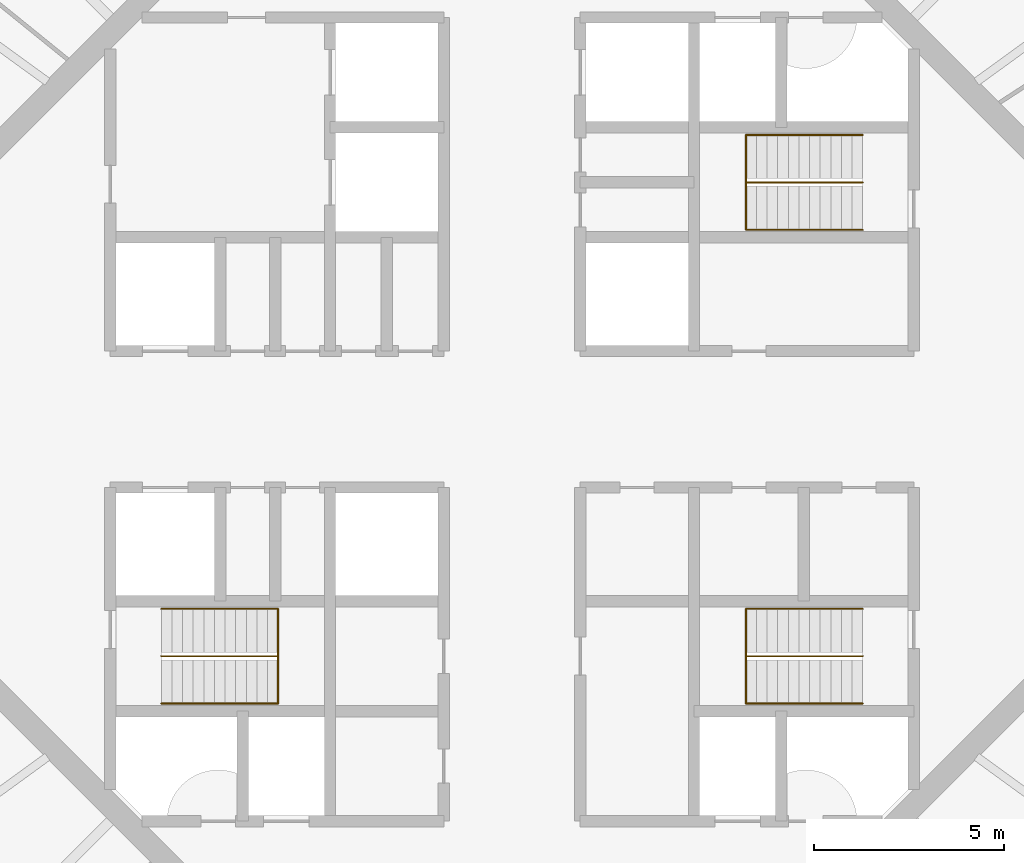
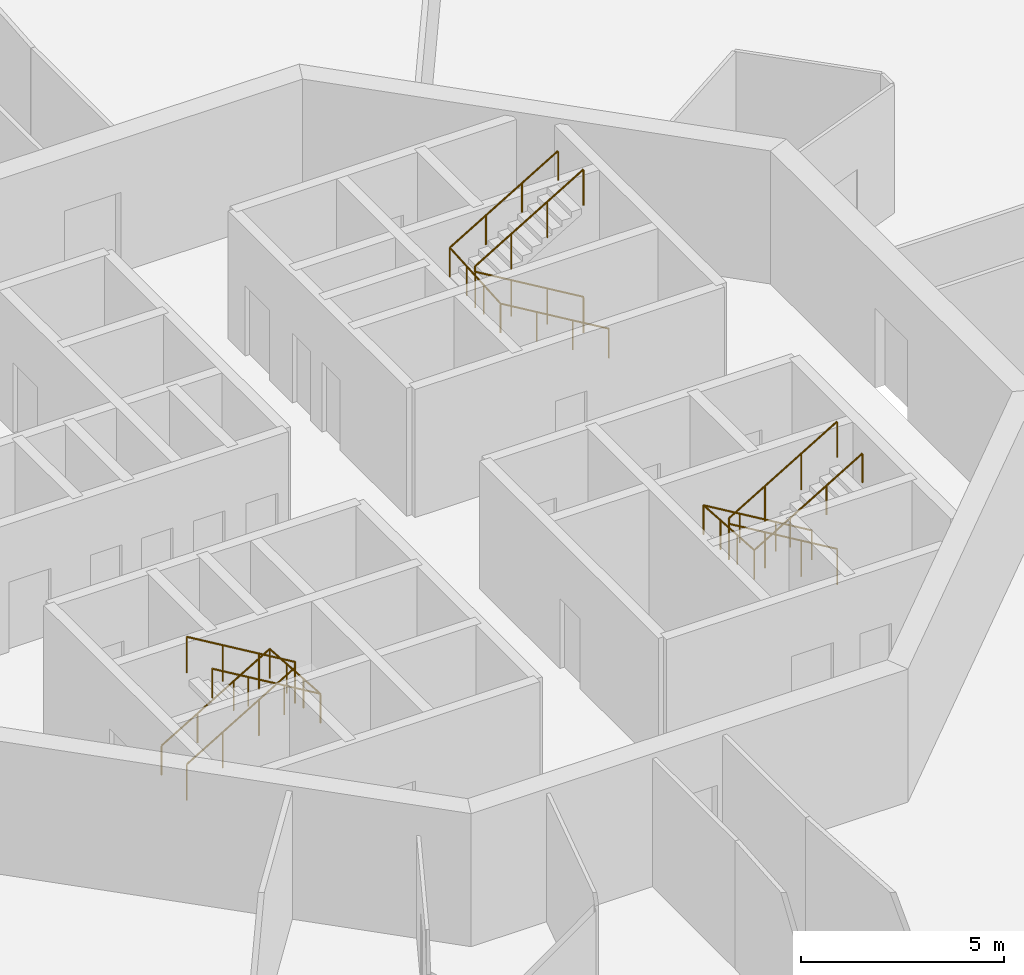
# One storey, part 13 of 13: 6 railings.
"""IFC4 building model written with IfcOpenShell, lengths in metres."""

from ifc_helpers import new_model, si_unit, direction, frame, origin, origin_2d, place, context, subcontext, project, spatial, circle, extrude, material, type_object, element, save


model = new_model("IFC4")

# Units and contexts
model_context = context("Model", 3, precision=1e-05, world=origin(), true_north=direction((0.0, 1.0)))
body_context = subcontext(model_context, "Body", "Model", "MODEL_VIEW")
ifc_project = project(units=[si_unit("LENGTHUNIT", "METRE"), si_unit("AREAUNIT", "SQUARE_METRE"), si_unit("VOLUMEUNIT", "CUBIC_METRE"), si_unit("PLANEANGLEUNIT", "RADIAN"), si_unit("MASSUNIT", "GRAM", prefix="KILO")], contexts=[model_context])

# Site, building, storey
site_placement = place(None, origin())
site = spatial("IfcSite", under=ifc_project, at=site_placement, CompositionType="ELEMENT")
building_placement = place(site_placement, origin())
building = spatial("IfcBuilding", under=site, at=building_placement, Name="Entoto Ring Tower", CompositionType="ELEMENT")
storey_placement = place(building_placement, frame((0.0, 0.0, 376.0)))
storey = spatial("IfcBuildingStorey", under=building, at=storey_placement, Name="L87", CompositionType="ELEMENT", Elevation=376.0)

# Railings
ifc_material_1 = material(Name="Steel S275", Category="steel")
railing_type_1 = type_object("IfcRailingType", Name="Stair guard 1100 mm steel", PredefinedType="GUARDRAIL", material=ifc_material_1)
railing_1_placement = place(storey_placement, frame((99.25, 86.25, 0.166748046875)))
element("IfcRailing", 1, at=railing_1_placement, inside=storey, type_object=railing_type_1, Name="Guard ST1", PredefinedType="GUARDRAIL", context=body_context, shape_type="SweptSolid", body=[
    extrude(circle(Radius=0.02392578125, at=origin_2d()), frame((0.0, 0.0, 1.076171875), z_axis=(-0.859308565015, 0.0, 0.511457515432), x_axis=(0.0, -1.0, 0.0)), (0.0, 0.0, 1.0), 3.58447265625),
    extrude(circle(Radius=0.02392578125, at=origin_2d()), frame((-3.080078125, 0.0, 2.9091796875), z_axis=(0.0, 0.0, 1.0), x_axis=(1.0, 0.0, 0.0)), (0.0, 0.0, 1.0), 0.166748046875),
    extrude(circle(Radius=0.02392578125, at=origin_2d()), frame((-3.080078125, 0.0, 3.076171875), z_axis=(0.859308565015, 0.0, 0.511457515432), x_axis=(0.0, 1.0, 0.0)), (0.0, 0.0, 1.0), 3.58447265625),
    extrude(circle(Radius=0.02099609375, at=origin_2d()), origin(), (0.0, 0.0, 1.0), 1.052001953125),
    extrude(circle(Radius=0.02099609375, at=origin_2d()), frame((-1.026611328125, 0.0, 0.611083984375)), (0.0, 0.0, 1.0), 1.052001953125),
    extrude(circle(Radius=0.02099609375, at=origin_2d()), frame((-2.053466796875, 0.0, 1.22216796875)), (0.0, 0.0, 1.0), 1.052001953125),
    extrude(circle(Radius=0.02099609375, at=origin_2d()), frame((-3.080078125, 0.0, 1.833251953125)), (0.0, 0.0, 1.0), 1.052001953125),
    extrude(circle(Radius=0.02099609375, at=origin_2d()), frame((-3.080078125, 0.0, 2.0)), (0.0, 0.0, 1.0), 1.052001953125),
    extrude(circle(Radius=0.02099609375, at=origin_2d()), frame((-2.053466796875, 0.0, 2.611083984375)), (0.0, 0.0, 1.0), 1.052001953125),
    extrude(circle(Radius=0.02099609375, at=origin_2d()), frame((-1.026611328125, 0.0, 3.22216796875)), (0.0, 0.0, 1.0), 1.052001953125),
    extrude(circle(Radius=0.02099609375, at=origin_2d()), frame((0.0, 0.0, 3.833251953125)), (0.0, 0.0, 1.0), 1.052001953125),
])
railing_2_placement = place(storey_placement, frame((80.75, 73.75, 0.166748046875)))
element("IfcRailing", 2, at=railing_2_placement, inside=storey, type_object=railing_type_1, Name="Guard ST2", PredefinedType="GUARDRAIL", context=body_context, shape_type="SweptSolid", body=[
    extrude(circle(Radius=0.02392578125, at=origin_2d()), frame((0.0, 0.0, 1.076171875), z_axis=(0.859308565015, 0.0, 0.511457515432), x_axis=(0.0, 1.0, 0.0)), (0.0, 0.0, 1.0), 3.58447265625),
    extrude(circle(Radius=0.02392578125, at=origin_2d()), frame((3.080078125, 0.0, 2.9091796875), z_axis=(0.0, 0.0, 1.0), x_axis=(1.0, 0.0, 0.0)), (0.0, 0.0, 1.0), 0.166748046875),
    extrude(circle(Radius=0.02392578125, at=origin_2d()), frame((3.080078125, 0.0, 3.076171875), z_axis=(-0.859308565015, 0.0, 0.511457515432), x_axis=(0.0, -1.0, 0.0)), (0.0, 0.0, 1.0), 3.58447265625),
    extrude(circle(Radius=0.02099609375, at=origin_2d()), origin(), (0.0, 0.0, 1.0), 1.052001953125),
    extrude(circle(Radius=0.02099609375, at=origin_2d()), frame((1.026611328125, 0.0, 0.611083984375)), (0.0, 0.0, 1.0), 1.052001953125),
    extrude(circle(Radius=0.02099609375, at=origin_2d()), frame((2.053466796875, 0.0, 1.22216796875)), (0.0, 0.0, 1.0), 1.052001953125),
    extrude(circle(Radius=0.02099609375, at=origin_2d()), frame((3.080078125, 0.0, 1.833251953125)), (0.0, 0.0, 1.0), 1.052001953125),
    extrude(circle(Radius=0.02099609375, at=origin_2d()), frame((3.080078125, 0.0, 2.0)), (0.0, 0.0, 1.0), 1.052001953125),
    extrude(circle(Radius=0.02099609375, at=origin_2d()), frame((2.053466796875, 0.0, 2.611083984375)), (0.0, 0.0, 1.0), 1.052001953125),
    extrude(circle(Radius=0.02099609375, at=origin_2d()), frame((1.026611328125, 0.0, 3.22216796875)), (0.0, 0.0, 1.0), 1.052001953125),
    extrude(circle(Radius=0.02099609375, at=origin_2d()), frame((0.0, 0.0, 3.833251953125)), (0.0, 0.0, 1.0), 1.052001953125),
])
railing_3_placement = place(storey_placement, frame((99.25, 73.75, 0.166748046875)))
element("IfcRailing", 3, at=railing_3_placement, inside=storey, type_object=railing_type_1, Name="Guard ST3", PredefinedType="GUARDRAIL", context=body_context, shape_type="SweptSolid", body=[
    extrude(circle(Radius=0.02392578125, at=origin_2d()), frame((0.0, 0.0, 1.076171875), z_axis=(-0.859308565015, 0.0, 0.511457515432), x_axis=(0.0, -1.0, 0.0)), (0.0, 0.0, 1.0), 3.58447265625),
    extrude(circle(Radius=0.02392578125, at=origin_2d()), frame((-3.080078125, 0.0, 2.9091796875), z_axis=(0.0, 0.0, 1.0), x_axis=(1.0, 0.0, 0.0)), (0.0, 0.0, 1.0), 0.166748046875),
    extrude(circle(Radius=0.02392578125, at=origin_2d()), frame((-3.080078125, 0.0, 3.076171875), z_axis=(0.859308565015, 0.0, 0.511457515432), x_axis=(0.0, 1.0, 0.0)), (0.0, 0.0, 1.0), 3.58447265625),
    extrude(circle(Radius=0.02099609375, at=origin_2d()), origin(), (0.0, 0.0, 1.0), 1.052001953125),
    extrude(circle(Radius=0.02099609375, at=origin_2d()), frame((-1.026611328125, 0.0, 0.611083984375)), (0.0, 0.0, 1.0), 1.052001953125),
    extrude(circle(Radius=0.02099609375, at=origin_2d()), frame((-2.053466796875, 0.0, 1.22216796875)), (0.0, 0.0, 1.0), 1.052001953125),
    extrude(circle(Radius=0.02099609375, at=origin_2d()), frame((-3.080078125, 0.0, 1.833251953125)), (0.0, 0.0, 1.0), 1.052001953125),
    extrude(circle(Radius=0.02099609375, at=origin_2d()), frame((-3.080078125, 0.0, 2.0)), (0.0, 0.0, 1.0), 1.052001953125),
    extrude(circle(Radius=0.02099609375, at=origin_2d()), frame((-2.053466796875, 0.0, 2.611083984375)), (0.0, 0.0, 1.0), 1.052001953125),
    extrude(circle(Radius=0.02099609375, at=origin_2d()), frame((-1.026611328125, 0.0, 3.22216796875)), (0.0, 0.0, 1.0), 1.052001953125),
    extrude(circle(Radius=0.02099609375, at=origin_2d()), frame((0.0, 0.0, 3.833251953125)), (0.0, 0.0, 1.0), 1.052001953125),
])
ifc_material_2 = material(Name="Steel S275", Category="steel")
railing_type_2 = type_object("IfcRailingType", Name="Stair handrail 900 mm steel", PredefinedType="HANDRAIL", material=ifc_material_2)
railing_4_placement = place(storey_placement, frame((99.25, 85.0, 0.166748046875)))
element("IfcRailing", 4, at=railing_4_placement, inside=storey, type_object=railing_type_2, Name="Handrail ST1", PredefinedType="HANDRAIL", context=body_context, shape_type="SweptSolid", body=[
    extrude(circle(Radius=0.02392578125, at=origin_2d()), frame((0.0, 0.0, 0.8759765625), z_axis=(-0.859308565015, 0.0, 0.511457515432), x_axis=(0.0, -1.0, 0.0)), (0.0, 0.0, 1.0), 3.58447265625),
    extrude(circle(Radius=0.02392578125, at=origin_2d()), frame((-3.080078125, 0.0, 2.708984375), z_axis=(0.0, 0.997783001586, 0.066551346688), x_axis=(-1.0, 0.0, 0.0)), (0.0, 0.0, 1.0), 2.505615234375),
    extrude(circle(Radius=0.02392578125, at=origin_2d()), frame((-3.080078125, 2.5, 2.8759765625), z_axis=(0.859308565015, 0.0, 0.511457515432), x_axis=(0.0, 1.0, 0.0)), (0.0, 0.0, 1.0), 3.58447265625),
    extrude(circle(Radius=0.02099609375, at=origin_2d()), origin(), (0.0, 0.0, 1.0), 0.851806640625),
    extrude(circle(Radius=0.02099609375, at=origin_2d()), frame((-1.026611328125, 0.0, 0.611083984375)), (0.0, 0.0, 1.0), 0.851806640625),
    extrude(circle(Radius=0.02099609375, at=origin_2d()), frame((-2.053466796875, 0.0, 1.22216796875)), (0.0, 0.0, 1.0), 0.851806640625),
    extrude(circle(Radius=0.02099609375, at=origin_2d()), frame((-3.080078125, 0.0, 1.833251953125)), (0.0, 0.0, 1.0), 0.851806640625),
    extrude(circle(Radius=0.02099609375, at=origin_2d()), frame((-3.080078125, 0.833251953125, 1.888916015625)), (0.0, 0.0, 1.0), 0.851806640625),
    extrude(circle(Radius=0.02099609375, at=origin_2d()), frame((-3.080078125, 1.666748046875, 1.9443359375)), (0.0, 0.0, 1.0), 0.851806640625),
    extrude(circle(Radius=0.02099609375, at=origin_2d()), frame((-3.080078125, 2.5, 2.0)), (0.0, 0.0, 1.0), 0.851806640625),
    extrude(circle(Radius=0.02099609375, at=origin_2d()), frame((-2.053466796875, 2.5, 2.611083984375)), (0.0, 0.0, 1.0), 0.851806640625),
    extrude(circle(Radius=0.02099609375, at=origin_2d()), frame((-1.026611328125, 2.5, 3.22216796875)), (0.0, 0.0, 1.0), 0.851806640625),
    extrude(circle(Radius=0.02099609375, at=origin_2d()), frame((0.0, 2.5, 3.833251953125)), (0.0, 0.0, 1.0), 0.851806640625),
])
railing_5_placement = place(storey_placement, frame((80.75, 75.0, 0.166748046875)))
element("IfcRailing", 5, at=railing_5_placement, inside=storey, type_object=railing_type_2, Name="Handrail ST2", PredefinedType="HANDRAIL", context=body_context, shape_type="SweptSolid", body=[
    extrude(circle(Radius=0.02392578125, at=origin_2d()), frame((0.0, 0.0, 0.8759765625), z_axis=(0.859308565015, 0.0, 0.511457515432), x_axis=(0.0, 1.0, 0.0)), (0.0, 0.0, 1.0), 3.58447265625),
    extrude(circle(Radius=0.02392578125, at=origin_2d()), frame((3.080078125, 0.0, 2.708984375), z_axis=(0.0, -0.997783001586, 0.066551346688), x_axis=(1.0, 0.0, 0.0)), (0.0, 0.0, 1.0), 2.505615234375),
    extrude(circle(Radius=0.02392578125, at=origin_2d()), frame((3.080078125, -2.5, 2.8759765625), z_axis=(-0.859308565015, 0.0, 0.511457515432), x_axis=(0.0, -1.0, 0.0)), (0.0, 0.0, 1.0), 3.58447265625),
    extrude(circle(Radius=0.02099609375, at=origin_2d()), origin(), (0.0, 0.0, 1.0), 0.851806640625),
    extrude(circle(Radius=0.02099609375, at=origin_2d()), frame((1.026611328125, 0.0, 0.611083984375)), (0.0, 0.0, 1.0), 0.851806640625),
    extrude(circle(Radius=0.02099609375, at=origin_2d()), frame((2.053466796875, 0.0, 1.22216796875)), (0.0, 0.0, 1.0), 0.851806640625),
    extrude(circle(Radius=0.02099609375, at=origin_2d()), frame((3.080078125, 0.0, 1.833251953125)), (0.0, 0.0, 1.0), 0.851806640625),
    extrude(circle(Radius=0.02099609375, at=origin_2d()), frame((3.080078125, -0.833251953125, 1.888916015625)), (0.0, 0.0, 1.0), 0.851806640625),
    extrude(circle(Radius=0.02099609375, at=origin_2d()), frame((3.080078125, -1.666748046875, 1.9443359375)), (0.0, 0.0, 1.0), 0.851806640625),
    extrude(circle(Radius=0.02099609375, at=origin_2d()), frame((3.080078125, -2.5, 2.0)), (0.0, 0.0, 1.0), 0.851806640625),
    extrude(circle(Radius=0.02099609375, at=origin_2d()), frame((2.053466796875, -2.5, 2.611083984375)), (0.0, 0.0, 1.0), 0.851806640625),
    extrude(circle(Radius=0.02099609375, at=origin_2d()), frame((1.026611328125, -2.5, 3.22216796875)), (0.0, 0.0, 1.0), 0.851806640625),
    extrude(circle(Radius=0.02099609375, at=origin_2d()), frame((0.0, -2.5, 3.833251953125)), (0.0, 0.0, 1.0), 0.851806640625),
])
railing_6_placement = place(storey_placement, frame((99.25, 75.0, 0.166748046875)))
element("IfcRailing", 6, at=railing_6_placement, inside=storey, type_object=railing_type_2, Name="Handrail ST3", PredefinedType="HANDRAIL", context=body_context, shape_type="SweptSolid", body=[
    extrude(circle(Radius=0.02392578125, at=origin_2d()), frame((0.0, 0.0, 0.8759765625), z_axis=(-0.859308565015, 0.0, 0.511457515432), x_axis=(0.0, -1.0, 0.0)), (0.0, 0.0, 1.0), 3.58447265625),
    extrude(circle(Radius=0.02392578125, at=origin_2d()), frame((-3.080078125, 0.0, 2.708984375), z_axis=(0.0, -0.997783001586, 0.066551346688), x_axis=(1.0, 0.0, 0.0)), (0.0, 0.0, 1.0), 2.505615234375),
    extrude(circle(Radius=0.02392578125, at=origin_2d()), frame((-3.080078125, -2.5, 2.8759765625), z_axis=(0.859308565015, 0.0, 0.511457515432), x_axis=(0.0, 1.0, 0.0)), (0.0, 0.0, 1.0), 3.58447265625),
    extrude(circle(Radius=0.02099609375, at=origin_2d()), origin(), (0.0, 0.0, 1.0), 0.851806640625),
    extrude(circle(Radius=0.02099609375, at=origin_2d()), frame((-1.026611328125, 0.0, 0.611083984375)), (0.0, 0.0, 1.0), 0.851806640625),
    extrude(circle(Radius=0.02099609375, at=origin_2d()), frame((-2.053466796875, 0.0, 1.22216796875)), (0.0, 0.0, 1.0), 0.851806640625),
    extrude(circle(Radius=0.02099609375, at=origin_2d()), frame((-3.080078125, 0.0, 1.833251953125)), (0.0, 0.0, 1.0), 0.851806640625),
    extrude(circle(Radius=0.02099609375, at=origin_2d()), frame((-3.080078125, -0.833251953125, 1.888916015625)), (0.0, 0.0, 1.0), 0.851806640625),
    extrude(circle(Radius=0.02099609375, at=origin_2d()), frame((-3.080078125, -1.666748046875, 1.9443359375)), (0.0, 0.0, 1.0), 0.851806640625),
    extrude(circle(Radius=0.02099609375, at=origin_2d()), frame((-3.080078125, -2.5, 2.0)), (0.0, 0.0, 1.0), 0.851806640625),
    extrude(circle(Radius=0.02099609375, at=origin_2d()), frame((-2.053466796875, -2.5, 2.611083984375)), (0.0, 0.0, 1.0), 0.851806640625),
    extrude(circle(Radius=0.02099609375, at=origin_2d()), frame((-1.026611328125, -2.5, 3.22216796875)), (0.0, 0.0, 1.0), 0.851806640625),
    extrude(circle(Radius=0.02099609375, at=origin_2d()), frame((0.0, -2.5, 3.833251953125)), (0.0, 0.0, 1.0), 0.851806640625),
])

save(model, "model.ifc")
